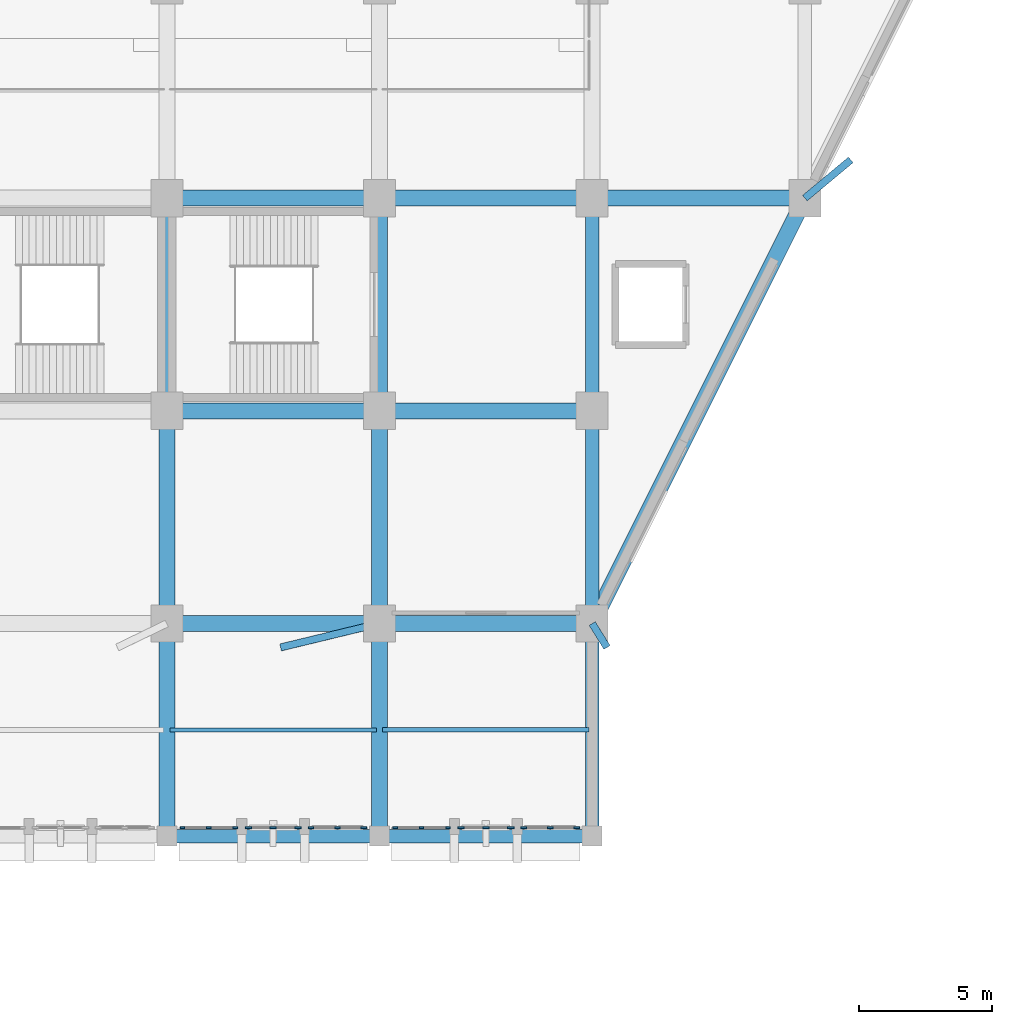
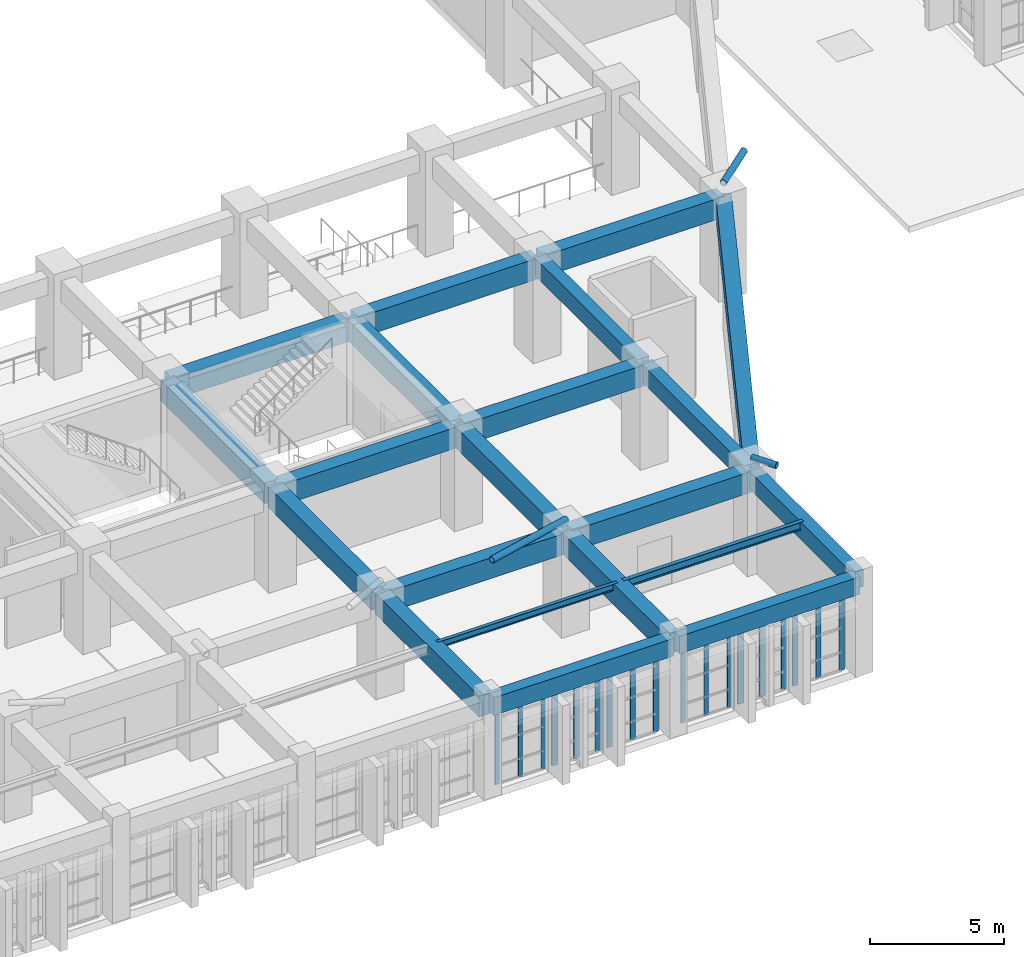
# One storey, part 20 of 155: 21 beams, 21 members, 6 elements without a shape of their own.
"""IFC4 building model written with IfcOpenShell, lengths in metres."""

from ifc_helpers import new_model, si_unit, direction, frame, origin, origin_2d, place, context, subcontext, project, spatial, rectangle, hollow_circle, i_section, extrude, material, layer, layer_set, material_profile, profile_set, type_object, element, aggregate, save


model = new_model("IFC4")

# Units and contexts
model_context = context("Model", 3, precision=1e-05, world=origin(), true_north=direction((0.0, 1.0)))
body_context = subcontext(model_context, "Body", "Model", "MODEL_VIEW")
ifc_project = project(units=[si_unit("LENGTHUNIT", "METRE"), si_unit("AREAUNIT", "SQUARE_METRE"), si_unit("VOLUMEUNIT", "CUBIC_METRE"), si_unit("PLANEANGLEUNIT", "RADIAN"), si_unit("MASSUNIT", "GRAM", prefix="KILO")], contexts=[model_context])

# Site, building, storey
site_placement = place(None, origin())
site = spatial("IfcSite", under=ifc_project, at=site_placement, CompositionType="ELEMENT")
building_placement = place(site_placement, origin())
building = spatial("IfcBuilding", under=site, at=building_placement, Name="Tazarka Park Arena", CompositionType="ELEMENT")
storey_placement = place(building_placement, frame((0.0, 0.0, 5.39990234375)))
storey = spatial("IfcBuildingStorey", under=building, at=storey_placement, Name="L01", CompositionType="ELEMENT", Elevation=5.39990234375)

# Beams
ifc_material_1 = material(Name="Concrete C40/50", Category="concrete")
ifc_material_profile_1 = material_profile(ifc_material_1, rectangle(XDim=0.60009765625, YDim=0.949951171875, at=origin_2d()), Name="Concrete C40/50")
ifc_profile_set_1 = profile_set([ifc_material_profile_1], Name="Concrete C40/50")
beam_type_1 = type_object("IfcBeamType", Name="BM-B-03", PredefinedType="BEAM", material=ifc_profile_set_1)
for number, where, z_axis, x_axis, name in (
    (1, (96.0, 8.1201171875, 3.945068359375), (0.0, 1.0, 0.0), (-1.0, 0.0, 0.0), "GYM-L01-12-01"),
    (2, (96.1201171875, 16.0, 3.945068359375), (1.0, 0.0, 0.0), (0.0, 1.0, 0.0), "GXM-L01-12-02"),
    (3, (96.0, 16.1201171875, 3.945068359375), (0.0, 1.0, 0.0), (-1.0, 0.0, 0.0), "GYM-L01-12-02"),
    (4, (96.1201171875, 24.0, 3.945068359375), (1.0, 0.0, 0.0), (0.0, 1.0, 0.0), "GXM-L01-12-03"),
    (5, (96.0, 24.1201171875, 3.945068359375), (0.0, 1.0, 0.0), (-1.0, 0.0, 0.0), "GYM-L01-12-03"),
    (6, (96.1201171875, 32.0, 3.945068359375), (1.0, 0.0, 0.0), (0.0, 1.0, 0.0), "GXM-L01-12-04"),
    (7, (104.0, 8.1201171875, 3.945068359375), (0.0, 1.0, 0.0), (-1.0, 0.0, 0.0), "GYM-L01-13-01"),
    (8, (104.1201171875, 16.0, 3.945068359375), (1.0, 0.0, 0.0), (0.0, 1.0, 0.0), "GXM-L01-13-02"),
    (9, (104.0, 16.1201171875, 3.945068359375), (0.0, 1.0, 0.0), (-1.0, 0.0, 0.0), "GYM-L01-13-02"),
    (10, (104.1201171875, 24.0, 3.945068359375), (1.0, 0.0, 0.0), (0.0, 1.0, 0.0), "GXM-L01-13-03"),
    (11, (104.0, 24.1201171875, 3.945068359375), (0.0, 1.0, 0.0), (-1.0, 0.0, 0.0), "GYM-L01-13-03"),
    (12, (104.1201171875, 32.0, 3.945068359375), (1.0, 0.0, 0.0), (0.0, 1.0, 0.0), "GXM-L01-13-04"),
    (13, (112.1201171875, 32.0, 3.945068359375), (1.0, 0.0, 0.0), (0.0, 1.0, 0.0), "GXM-L01-14-04"),
):
    element("IfcBeam", number, at=place(storey_placement, frame(where, z_axis=z_axis, x_axis=x_axis)), inside=storey, type_object=beam_type_1, Name=name, PredefinedType="BEAM", context=body_context, shape_type="SweptSolid", body=[
        extrude(rectangle(XDim=0.60009765625, YDim=0.949951171875, at=origin_2d()), origin(), (0.0, 0.0, 1.0), 7.759765625),
    ])
ifc_material_2 = material(Name="Steel S355", Category="steel")
ifc_material_profile_2 = material_profile(ifc_material_2, i_section(OverallWidth=0.14990234375, OverallDepth=0.300048828125, WebThickness=0.007080078125, FlangeThickness=0.0107421875, FilletRadius=0.014892578125, at=origin_2d()), Name="Steel S355")
ifc_profile_set_2 = profile_set([ifc_material_profile_2], Name="Steel S355")
beam_type_2 = type_object("IfcBeamType", Name="BM-J-01", PredefinedType="JOIST", material=ifc_profile_set_2)
beam_1_placement = place(storey_placement, frame((96.1201171875, 12.0, 4.27001953125), z_axis=(1.0, 0.0, 0.0), x_axis=(0.0, 1.0, 0.0)))
element("IfcBeam", 14, at=beam_1_placement, inside=storey, type_object=beam_type_2, Name="JST-L01-12-01", PredefinedType="JOIST", context=body_context, shape_type="SweptSolid", body=[
    extrude(i_section(OverallWidth=0.14990234375, OverallDepth=0.300048828125, WebThickness=0.007080078125, FlangeThickness=0.0107421875, FilletRadius=0.014892578125, at=origin_2d()), origin(), (0.0, 0.0, 1.0), 7.759765625),
])
ifc_material_3 = material(Name="Steel S355", Category="steel")
ifc_material_profile_3 = material_profile(ifc_material_3, i_section(OverallWidth=0.169921875, OverallDepth=0.360107421875, WebThickness=0.008056640625, FlangeThickness=0.0126953125, FilletRadius=0.01806640625, at=origin_2d()), Name="Steel S355")
ifc_profile_set_3 = profile_set([ifc_material_profile_3], Name="Steel S355")
beam_type_3 = type_object("IfcBeamType", Name="BM-J-02", PredefinedType="JOIST", material=ifc_profile_set_3)
beam_2_placement = place(storey_placement, frame((104.1201171875, 12.0, 4.239990234375), z_axis=(1.0, 0.0, 0.0), x_axis=(0.0, 1.0, 0.0)))
element("IfcBeam", 15, at=beam_2_placement, inside=storey, type_object=beam_type_3, Name="JST-L01-13-01", PredefinedType="JOIST", context=body_context, shape_type="SweptSolid", body=[
    extrude(i_section(OverallWidth=0.169921875, OverallDepth=0.360107421875, WebThickness=0.008056640625, FlangeThickness=0.0126953125, FilletRadius=0.01806640625, at=origin_2d()), origin(), (0.0, 0.0, 1.0), 7.759765625),
])
ifc_material_4 = material(Name="Concrete C40/50", Category="concrete")
ifc_material_profile_4 = material_profile(ifc_material_4, rectangle(XDim=0.5, YDim=0.800048828125, at=origin_2d()), Name="Concrete C40/50")
ifc_profile_set_4 = profile_set([ifc_material_profile_4], Name="Concrete C40/50")
beam_type_4 = type_object("IfcBeamType", Name="BM-SP-01", PredefinedType="SPANDREL", material=ifc_profile_set_4)
for number, where, z_axis, x_axis, name in (
    (16, (96.1201171875, 8.0, 4.02001953125), (1.0, 0.0, 0.0), (0.0, 1.0, 0.0), "GXM-L01-12-01"),
    (17, (104.1201171875, 8.0, 4.02001953125), (1.0, 0.0, 0.0), (0.0, 1.0, 0.0), "GXM-L01-13-01"),
    (18, (112.0, 8.1201171875, 4.02001953125), (0.0, 1.0, 0.0), (-1.0, 0.0, 0.0), "GYM-L01-14-01"),
    (19, (112.0, 16.1201171875, 4.02001953125), (0.0, 1.0, 0.0), (-1.0, 0.0, 0.0), "GYM-L01-14-02"),
    (20, (112.0, 24.1201171875, 4.02001953125), (0.0, 1.0, 0.0), (-1.0, 0.0, 0.0), "GYM-L01-14-03"),
):
    element("IfcBeam", number, at=place(storey_placement, frame(where, z_axis=z_axis, x_axis=x_axis)), inside=storey, type_object=beam_type_4, Name=name, PredefinedType="SPANDREL", context=body_context, shape_type="SweptSolid", body=[
        extrude(rectangle(XDim=0.5, YDim=0.800048828125, at=origin_2d()), origin(), (0.0, 0.0, 1.0), 7.759765625),
    ])
ifc_material_5 = material(Name="Concrete C40/50", Category="concrete")
ifc_material_profile_5 = material_profile(ifc_material_5, rectangle(XDim=0.60009765625, YDim=0.949951171875, at=origin_2d()), Name="Concrete C40/50")
ifc_profile_set_5 = profile_set([ifc_material_profile_5], Name="Concrete C40/50")
beam_type_5 = type_object("IfcBeamType", Name="BM-SP-03", PredefinedType="SPANDREL", material=ifc_profile_set_5)
beam_3_placement = place(storey_placement, frame((112.0537109375, 16.107421875, 3.945068359375), z_axis=(0.4472135955, 0.894427191, 0.0), x_axis=(-0.894427191, 0.4472135955, 0.0)))
element("IfcBeam", 21, at=beam_3_placement, inside=storey, type_object=beam_type_5, Name="RING BEAM SP-03-L01-07", PredefinedType="SPANDREL", context=body_context, shape_type="SweptSolid", body=[
    extrude(rectangle(XDim=0.60009765625, YDim=0.949951171875, at=origin_2d()), origin(), (0.0, 0.0, 1.0), 17.6484375),
])

# Curtain wall, members
ifc_material_6 = material(Name="Aluminium and low-e glass", Category="aluminium")
ifc_layer_1 = layer(ifc_material_6, 0.179931640625, Name="Aluminium and low-e glass")
ifc_layer_set_1 = layer_set([ifc_layer_1], Name="Aluminium and low-e glass")
curtain_wall_type_1 = type_object("IfcCurtainWallType", Name="CW-21", PredefinedType="NOTDEFINED", material=ifc_layer_set_1)
curtain_wall_1_placement = place(storey_placement, origin())
curtain_wall_1 = element("IfcCurtainWall", 22, at=curtain_wall_1_placement, inside=storey, type_object=curtain_wall_type_1, Name="Curtain Wall CWA-L01-021", PredefinedType="NOTDEFINED")
ifc_material_7 = material(Name="Aluminium 6060-T66", Category="aluminium")
ifc_material_profile_6 = material_profile(ifc_material_7, rectangle(XDim=0.06494140625, YDim=0.179931640625, at=origin_2d()), Name="Aluminium 6060-T66")
ifc_profile_set_6 = profile_set([ifc_material_profile_6], Name="Aluminium 6060-T66")
member_type_1 = type_object("IfcMemberType", Name="CWM-01", PredefinedType="MULLION", material=ifc_profile_set_6)
member_1_placement = place(storey_placement, frame((98.57568359375, 8.320068359375, 0.0), z_axis=(0.0, 0.0, 1.0), x_axis=(0.0, -1.0, 0.0)))
member_1 = element("IfcMember", 23, at=member_1_placement, type_object=member_type_1, Name="CW-21 mullion 1", PredefinedType="MULLION", context=body_context, shape_type="SweptSolid", body=[
    extrude(rectangle(XDim=0.06494140625, YDim=0.179931640625, at=origin_2d()), origin(), (0.0, 0.0, 1.0), 3.60009765625),
])
member_2_placement = place(storey_placement, frame((97.58154296875, 8.320068359375, 0.0), z_axis=(0.0, 0.0, 1.0), x_axis=(0.0, -1.0, 0.0)))
member_2 = element("IfcMember", 24, at=member_2_placement, type_object=member_type_1, Name="CW-21 mullion 2", PredefinedType="MULLION", context=body_context, shape_type="SweptSolid", body=[
    extrude(rectangle(XDim=0.06494140625, YDim=0.179931640625, at=origin_2d()), origin(), (0.0, 0.0, 1.0), 3.60009765625),
])
member_3_placement = place(storey_placement, frame((96.58740234375, 8.320068359375, 0.0), z_axis=(0.0, 0.0, 1.0), x_axis=(0.0, -1.0, 0.0)))
member_3 = element("IfcMember", 25, at=member_3_placement, type_object=member_type_1, Name="CW-21 mullion 3", PredefinedType="MULLION", context=body_context, shape_type="SweptSolid", body=[
    extrude(rectangle(XDim=0.06494140625, YDim=0.179931640625, at=origin_2d()), origin(), (0.0, 0.0, 1.0), 3.60009765625),
])
aggregate(curtain_wall_1, [member_1, member_2, member_3])

ifc_material_8 = material(Name="Aluminium and low-e glass", Category="aluminium")
ifc_layer_2 = layer(ifc_material_8, 0.179931640625, Name="Aluminium and low-e glass")
ifc_layer_set_2 = layer_set([ifc_layer_2], Name="Aluminium and low-e glass")
curtain_wall_type_2 = type_object("IfcCurtainWallType", Name="CW-24", PredefinedType="NOTDEFINED", material=ifc_layer_set_2)
curtain_wall_2_placement = place(storey_placement, origin())
curtain_wall_2 = element("IfcCurtainWall", 26, at=curtain_wall_2_placement, inside=storey, type_object=curtain_wall_type_2, Name="Curtain Wall CWA-L01-024", PredefinedType="NOTDEFINED")
member_4_placement = place(storey_placement, frame((106.57568359375, 8.320068359375, 0.0), z_axis=(0.0, 0.0, 1.0), x_axis=(0.0, -1.0, 0.0)))
member_4 = element("IfcMember", 27, at=member_4_placement, type_object=member_type_1, Name="CW-24 mullion 1", PredefinedType="MULLION", context=body_context, shape_type="SweptSolid", body=[
    extrude(rectangle(XDim=0.06494140625, YDim=0.179931640625, at=origin_2d()), origin(), (0.0, 0.0, 1.0), 3.60009765625),
])
member_5_placement = place(storey_placement, frame((105.58154296875, 8.320068359375, 0.0), z_axis=(0.0, 0.0, 1.0), x_axis=(0.0, -1.0, 0.0)))
member_5 = element("IfcMember", 28, at=member_5_placement, type_object=member_type_1, Name="CW-24 mullion 2", PredefinedType="MULLION", context=body_context, shape_type="SweptSolid", body=[
    extrude(rectangle(XDim=0.06494140625, YDim=0.179931640625, at=origin_2d()), origin(), (0.0, 0.0, 1.0), 3.60009765625),
])
member_6_placement = place(storey_placement, frame((104.58740234375, 8.320068359375, 0.0), z_axis=(0.0, 0.0, 1.0), x_axis=(0.0, -1.0, 0.0)))
member_6 = element("IfcMember", 29, at=member_6_placement, type_object=member_type_1, Name="CW-24 mullion 3", PredefinedType="MULLION", context=body_context, shape_type="SweptSolid", body=[
    extrude(rectangle(XDim=0.06494140625, YDim=0.179931640625, at=origin_2d()), origin(), (0.0, 0.0, 1.0), 3.60009765625),
])
aggregate(curtain_wall_2, [member_4, member_5, member_6])

ifc_material_9 = material(Name="Aluminium and low-e glass", Category="aluminium")
ifc_layer_3 = layer(ifc_material_9, 0.179931640625, Name="Aluminium and low-e glass")
ifc_layer_set_3 = layer_set([ifc_layer_3], Name="Aluminium and low-e glass")
curtain_wall_type_3 = type_object("IfcCurtainWallType", Name="CW-19", PredefinedType="NOTDEFINED", material=ifc_layer_set_3)
curtain_wall_3_placement = place(storey_placement, origin())
curtain_wall_3 = element("IfcCurtainWall", 30, at=curtain_wall_3_placement, inside=storey, type_object=curtain_wall_type_3, Name="Curtain Wall CWA-L01-019", PredefinedType="NOTDEFINED")
ifc_material_10 = material(Name="Aluminium 6060-T66", Category="aluminium")
ifc_material_profile_7 = material_profile(ifc_material_10, rectangle(XDim=0.06494140625, YDim=0.219970703125, at=origin_2d()), Name="Aluminium 6060-T66")
ifc_profile_set_7 = profile_set([ifc_material_profile_7], Name="Aluminium 6060-T66")
member_type_2 = type_object("IfcMemberType", Name="CWM-02", PredefinedType="MULLION", material=ifc_profile_set_7)
member_7_placement = place(storey_placement, frame((103.41259765625, 8.320068359375, 0.0), z_axis=(0.0, 0.0, 1.0), x_axis=(0.0, -1.0, 0.0)))
member_7 = element("IfcMember", 31, at=member_7_placement, type_object=member_type_2, Name="CW-19 mullion 1", PredefinedType="MULLION", context=body_context, shape_type="SweptSolid", body=[
    extrude(rectangle(XDim=0.06494140625, YDim=0.219970703125, at=origin_2d()), origin(), (0.0, 0.0, 1.0), 3.60009765625),
])
member_8_placement = place(storey_placement, frame((102.41845703125, 8.320068359375, 0.0), z_axis=(0.0, 0.0, 1.0), x_axis=(0.0, -1.0, 0.0)))
member_8 = element("IfcMember", 32, at=member_8_placement, type_object=member_type_2, Name="CW-19 mullion 2", PredefinedType="MULLION", context=body_context, shape_type="SweptSolid", body=[
    extrude(rectangle(XDim=0.06494140625, YDim=0.219970703125, at=origin_2d()), origin(), (0.0, 0.0, 1.0), 3.60009765625),
])
member_9_placement = place(storey_placement, frame((101.42431640625, 8.320068359375, 0.0), z_axis=(0.0, 0.0, 1.0), x_axis=(0.0, -1.0, 0.0)))
member_9 = element("IfcMember", 33, at=member_9_placement, type_object=member_type_2, Name="CW-19 mullion 3", PredefinedType="MULLION", context=body_context, shape_type="SweptSolid", body=[
    extrude(rectangle(XDim=0.06494140625, YDim=0.219970703125, at=origin_2d()), origin(), (0.0, 0.0, 1.0), 3.60009765625),
])
aggregate(curtain_wall_3, [member_7, member_8, member_9])

ifc_material_11 = material(Name="Aluminium and low-e glass", Category="aluminium")
ifc_layer_4 = layer(ifc_material_11, 0.179931640625, Name="Aluminium and low-e glass")
ifc_layer_set_4 = layer_set([ifc_layer_4], Name="Aluminium and low-e glass")
curtain_wall_type_4 = type_object("IfcCurtainWallType", Name="CW-22", PredefinedType="NOTDEFINED", material=ifc_layer_set_4)
curtain_wall_4_placement = place(storey_placement, origin())
curtain_wall_4 = element("IfcCurtainWall", 34, at=curtain_wall_4_placement, inside=storey, type_object=curtain_wall_type_4, Name="Curtain Wall CWA-L01-022", PredefinedType="NOTDEFINED")
member_10_placement = place(storey_placement, frame((111.41259765625, 8.320068359375, 0.0), z_axis=(0.0, 0.0, 1.0), x_axis=(0.0, -1.0, 0.0)))
member_10 = element("IfcMember", 35, at=member_10_placement, type_object=member_type_2, Name="CW-22 mullion 1", PredefinedType="MULLION", context=body_context, shape_type="SweptSolid", body=[
    extrude(rectangle(XDim=0.06494140625, YDim=0.219970703125, at=origin_2d()), origin(), (0.0, 0.0, 1.0), 3.60009765625),
])
member_11_placement = place(storey_placement, frame((110.41845703125, 8.320068359375, 0.0), z_axis=(0.0, 0.0, 1.0), x_axis=(0.0, -1.0, 0.0)))
member_11 = element("IfcMember", 36, at=member_11_placement, type_object=member_type_2, Name="CW-22 mullion 2", PredefinedType="MULLION", context=body_context, shape_type="SweptSolid", body=[
    extrude(rectangle(XDim=0.06494140625, YDim=0.219970703125, at=origin_2d()), origin(), (0.0, 0.0, 1.0), 3.60009765625),
])
member_12_placement = place(storey_placement, frame((109.42431640625, 8.320068359375, 0.0), z_axis=(0.0, 0.0, 1.0), x_axis=(0.0, -1.0, 0.0)))
member_12 = element("IfcMember", 37, at=member_12_placement, type_object=member_type_2, Name="CW-22 mullion 3", PredefinedType="MULLION", context=body_context, shape_type="SweptSolid", body=[
    extrude(rectangle(XDim=0.06494140625, YDim=0.219970703125, at=origin_2d()), origin(), (0.0, 0.0, 1.0), 3.60009765625),
])
aggregate(curtain_wall_4, [member_10, member_11, member_12])

ifc_material_12 = material(Name="Aluminium and low-e glass", Category="aluminium")
ifc_layer_5 = layer(ifc_material_12, 0.179931640625, Name="Aluminium and low-e glass")
ifc_layer_set_5 = layer_set([ifc_layer_5], Name="Aluminium and low-e glass")
curtain_wall_type_5 = type_object("IfcCurtainWallType", Name="CW-20", PredefinedType="NOTDEFINED", material=ifc_layer_set_5)
curtain_wall_5_placement = place(storey_placement, origin())
curtain_wall_5 = element("IfcCurtainWall", 38, at=curtain_wall_5_placement, inside=storey, type_object=curtain_wall_type_5, Name="Curtain Wall CWA-L01-020", PredefinedType="NOTDEFINED")
ifc_material_13 = material(Name="Aluminium 6060-T66", Category="aluminium")
ifc_material_profile_8 = material_profile(ifc_material_13, rectangle(XDim=0.074951171875, YDim=0.25, at=origin_2d()), Name="Aluminium 6060-T66")
ifc_profile_set_8 = profile_set([ifc_material_profile_8], Name="Aluminium 6060-T66")
member_type_3 = type_object("IfcMemberType", Name="CWM-03", PredefinedType="MULLION", material=ifc_profile_set_8)
member_13_placement = place(storey_placement, frame((100.93408203125, 8.320068359375, 0.0), z_axis=(0.0, 0.0, 1.0), x_axis=(0.0, -1.0, 0.0)))
member_13 = element("IfcMember", 39, at=member_13_placement, type_object=member_type_3, Name="CW-20 mullion 1", PredefinedType="MULLION", context=body_context, shape_type="SweptSolid", body=[
    extrude(rectangle(XDim=0.074951171875, YDim=0.25, at=origin_2d()), origin(), (0.0, 0.0, 1.0), 3.60009765625),
])
member_14_placement = place(storey_placement, frame((100.0, 8.320068359375, 0.0), z_axis=(0.0, 0.0, 1.0), x_axis=(0.0, -1.0, 0.0)))
member_14 = element("IfcMember", 40, at=member_14_placement, type_object=member_type_3, Name="CW-20 mullion 2", PredefinedType="MULLION", context=body_context, shape_type="SweptSolid", body=[
    extrude(rectangle(XDim=0.074951171875, YDim=0.25, at=origin_2d()), origin(), (0.0, 0.0, 1.0), 3.60009765625),
])
member_15_placement = place(storey_placement, frame((99.06591796875, 8.320068359375, 0.0), z_axis=(0.0, 0.0, 1.0), x_axis=(0.0, -1.0, 0.0)))
member_15 = element("IfcMember", 41, at=member_15_placement, type_object=member_type_3, Name="CW-20 mullion 3", PredefinedType="MULLION", context=body_context, shape_type="SweptSolid", body=[
    extrude(rectangle(XDim=0.074951171875, YDim=0.25, at=origin_2d()), origin(), (0.0, 0.0, 1.0), 3.60009765625),
])
aggregate(curtain_wall_5, [member_13, member_14, member_15])

ifc_material_14 = material(Name="Aluminium and low-e glass", Category="aluminium")
ifc_layer_6 = layer(ifc_material_14, 0.179931640625, Name="Aluminium and low-e glass")
ifc_layer_set_6 = layer_set([ifc_layer_6], Name="Aluminium and low-e glass")
curtain_wall_type_6 = type_object("IfcCurtainWallType", Name="CW-23", PredefinedType="NOTDEFINED", material=ifc_layer_set_6)
curtain_wall_6_placement = place(storey_placement, origin())
curtain_wall_6 = element("IfcCurtainWall", 42, at=curtain_wall_6_placement, inside=storey, type_object=curtain_wall_type_6, Name="Curtain Wall CWA-L01-023", PredefinedType="NOTDEFINED")
member_16_placement = place(storey_placement, frame((108.93408203125, 8.320068359375, 0.0), z_axis=(0.0, 0.0, 1.0), x_axis=(0.0, -1.0, 0.0)))
member_16 = element("IfcMember", 43, at=member_16_placement, type_object=member_type_3, Name="CW-23 mullion 1", PredefinedType="MULLION", context=body_context, shape_type="SweptSolid", body=[
    extrude(rectangle(XDim=0.074951171875, YDim=0.25, at=origin_2d()), origin(), (0.0, 0.0, 1.0), 3.60009765625),
])
member_17_placement = place(storey_placement, frame((108.0, 8.320068359375, 0.0), z_axis=(0.0, 0.0, 1.0), x_axis=(0.0, -1.0, 0.0)))
member_17 = element("IfcMember", 44, at=member_17_placement, type_object=member_type_3, Name="CW-23 mullion 2", PredefinedType="MULLION", context=body_context, shape_type="SweptSolid", body=[
    extrude(rectangle(XDim=0.074951171875, YDim=0.25, at=origin_2d()), origin(), (0.0, 0.0, 1.0), 3.60009765625),
])
member_18_placement = place(storey_placement, frame((107.06591796875, 8.320068359375, 0.0), z_axis=(0.0, 0.0, 1.0), x_axis=(0.0, -1.0, 0.0)))
member_18 = element("IfcMember", 45, at=member_18_placement, type_object=member_type_3, Name="CW-23 mullion 3", PredefinedType="MULLION", context=body_context, shape_type="SweptSolid", body=[
    extrude(rectangle(XDim=0.074951171875, YDim=0.25, at=origin_2d()), origin(), (0.0, 0.0, 1.0), 3.60009765625),
])
aggregate(curtain_wall_6, [member_16, member_17, member_18])

# Members
ifc_material_15 = material(Name="Steel S355", Category="steel")
ifc_material_profile_9 = material_profile(ifc_material_15, hollow_circle(Radius=0.136474609375, WallThickness=0.012451171875, at=origin_2d()), Name="Steel S355")
ifc_profile_set_9 = profile_set([ifc_material_profile_9], Name="Steel S355")
member_type_4 = type_object("IfcMemberType", Name="MEM-SR-01", PredefinedType="STRUT", material=ifc_profile_set_9)
member_19_placement = place(storey_placement, frame((104.0, 16.0, 4.800048828125), z_axis=(-0.971992374621, -0.235012390479, 0.0), x_axis=(0.235012390479, -0.971992374621, 0.0)))
element("IfcMember", 46, at=member_19_placement, inside=storey, type_object=member_type_4, Name="FSB-05", PredefinedType="STRUT", context=body_context, shape_type="SweptSolid", body=[
    extrude(hollow_circle(Radius=0.136474609375, WallThickness=0.012451171875, at=origin_2d()), origin(), (0.0, 0.0, 1.0), 3.8291015625),
])
member_20_placement = place(storey_placement, frame((112.0, 16.0, 4.800048828125), z_axis=(0.525718874276, -0.850658371633, 0.0), x_axis=(0.850658371633, 0.525718874276, 0.0)))
element("IfcMember", 47, at=member_20_placement, inside=storey, type_object=member_type_4, Name="FSB-06", PredefinedType="STRUT", context=body_context, shape_type="SweptSolid", body=[
    extrude(hollow_circle(Radius=0.136474609375, WallThickness=0.012451171875, at=origin_2d()), origin(), (0.0, 0.0, 1.0), 1.057861328125),
])
member_21_placement = place(storey_placement, frame((120.0, 32.0, 4.800048828125), z_axis=(0.768239102798, 0.640163011219, 0.0), x_axis=(-0.640163011219, 0.768239102798, 0.0)))
element("IfcMember", 48, at=member_21_placement, inside=storey, type_object=member_type_4, Name="FSB-07", PredefinedType="STRUT", context=body_context, shape_type="SweptSolid", body=[
    extrude(hollow_circle(Radius=0.136474609375, WallThickness=0.012451171875, at=origin_2d()), origin(), (0.0, 0.0, 1.0), 2.24560546875),
])

save(model, "model.ifc")
